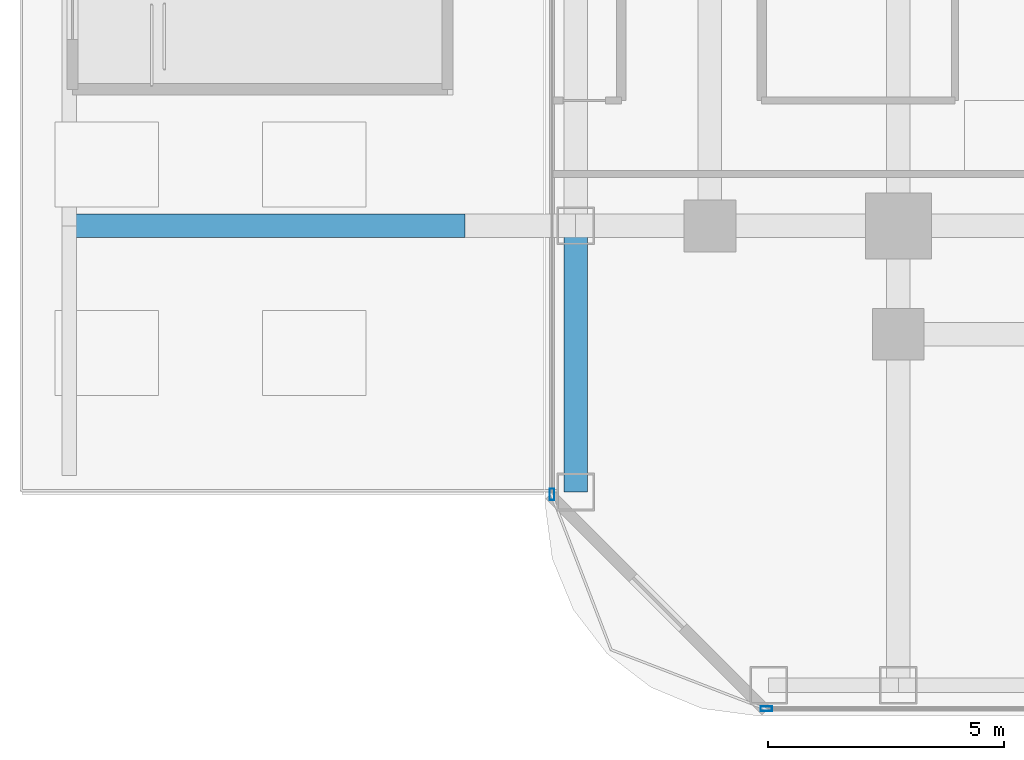
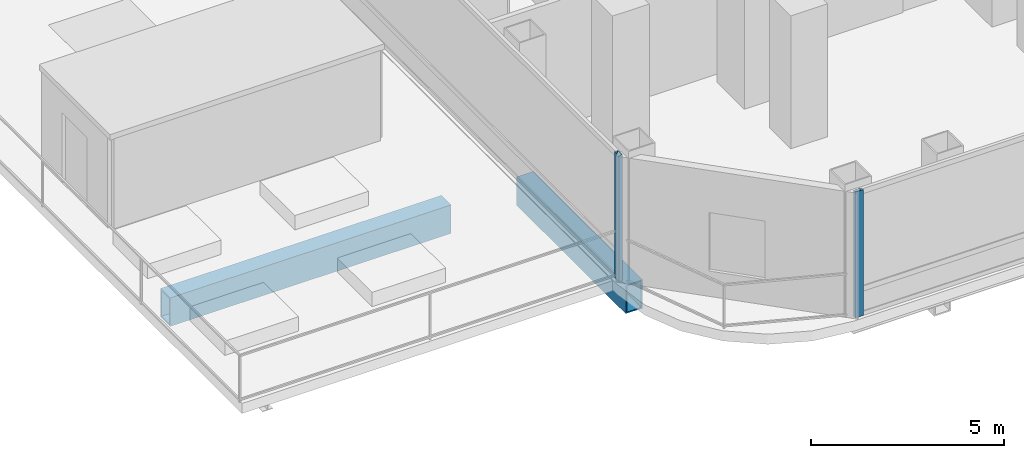
# One storey, part 2 of 29: 2 beams, 2 members, 2 elements without a shape of their own.
"""IFC4 building model written with IfcOpenShell, lengths in metres."""

from ifc_helpers import new_model, si_unit, direction, frame, origin, origin_2d, place, context, subcontext, project, spatial, hollow_rectangle, extrude, material, layer, layer_set, material_profile, profile_set, type_object, element, aggregate, save


model = new_model("IFC4")

# Units and contexts
model_context = context("Model", 3, precision=1e-05, world=origin(), true_north=direction((0.0, 1.0)))
body_context = subcontext(model_context, "Body", "Model", "MODEL_VIEW")
ifc_project = project(units=[si_unit("LENGTHUNIT", "METRE"), si_unit("AREAUNIT", "SQUARE_METRE"), si_unit("VOLUMEUNIT", "CUBIC_METRE"), si_unit("PLANEANGLEUNIT", "RADIAN"), si_unit("MASSUNIT", "GRAM", prefix="KILO")], contexts=[model_context])

# Site, building, storey
site_placement = place(None, origin())
site = spatial("IfcSite", under=ifc_project, at=site_placement, CompositionType="ELEMENT")
building_placement = place(site_placement, origin())
building = spatial("IfcBuilding", under=site, at=building_placement, Name="Khorvyn Point Tower", CompositionType="ELEMENT")
storey_placement = place(building_placement, frame((0.0, 0.0, 26.39990234375)))
storey = spatial("IfcBuildingStorey", under=building, at=storey_placement, Name="L07", CompositionType="ELEMENT", Elevation=26.39990234375)

# Curtain wall, member
ifc_material_1 = material(Name="Anodised aluminium 6063-T6 and laminated Low-E glass", Category="aluminium")
ifc_layer = layer(ifc_material_1, 0.18994140625)
ifc_layer_set = layer_set([ifc_layer], Name="Stick-Built Finned Residential Curtain Wall CW-SYS-02")
curtain_wall_type = type_object("IfcCurtainWallType", Name="Stick-Built Finned Residential Curtain Wall CW-SYS-02", PredefinedType="NOTDEFINED", material=ifc_layer_set)
curtain_wall_1_placement = place(storey_placement, origin())
curtain_wall_1 = element("IfcCurtainWall", 1, at=curtain_wall_1_placement, inside=storey, type_object=curtain_wall_type, Name="Curtain Wall", PredefinedType="NOTDEFINED")
ifc_material_2 = material(Name="Anodised aluminium 6063-T6", Category="aluminium")
ifc_material_profile_1 = material_profile(ifc_material_2, hollow_rectangle(XDim=0.10009765625, YDim=0.239990234375, WallThickness=0.0048828125, at=origin_2d()))
ifc_profile_set_1 = profile_set([ifc_material_profile_1], Name="Anodised aluminium 6063-T6 ALU-MUL-100x240")
member_type = type_object("IfcMemberType", Name="Anodised Aluminium 6063-T6 Mullion ALU-MUL-100x240", PredefinedType="MULLION", material=ifc_profile_set_1)
member_1_placement = place(storey_placement, frame((-17.60009765625, -25.050048828125, 0.0), z_axis=(0.0, 0.0, 1.0), x_axis=(0.0, -1.0, 0.0)))
member_1 = element("IfcMember", 2, at=member_1_placement, type_object=member_type, Name="Transom", PredefinedType="MULLION", context=body_context, shape_type="SweptSolid", body=[
    extrude(hollow_rectangle(XDim=0.10009765625, YDim=0.239990234375, WallThickness=0.0048828125, at=origin_2d()), origin(), (0.0, 0.0, 1.0), 3.97998046875),
])
aggregate(curtain_wall_1, [member_1])

curtain_wall_2_placement = place(storey_placement, origin())
curtain_wall_2 = element("IfcCurtainWall", 3, at=curtain_wall_2_placement, inside=storey, type_object=curtain_wall_type, Name="Curtain Wall", PredefinedType="NOTDEFINED")
member_2_placement = place(storey_placement, frame((-22.14990234375, -20.5, 0.0), z_axis=(0.0, 0.0, 1.0), x_axis=(-1.0, 0.0, 0.0)))
member_2 = element("IfcMember", 4, at=member_2_placement, type_object=member_type, Name="Transom", PredefinedType="MULLION", context=body_context, shape_type="SweptSolid", body=[
    extrude(hollow_rectangle(XDim=0.10009765625, YDim=0.239990234375, WallThickness=0.0048828125, at=origin_2d()), origin(), (0.0, 0.0, 1.0), 3.97998046875),
])
aggregate(curtain_wall_2, [member_2])

# Beams
ifc_material_3 = material(Name="Steel S450", Category="steel")
ifc_material_profile_2 = material_profile(ifc_material_3, hollow_rectangle(XDim=0.5, YDim=0.89990234375, WallThickness=0.0400390625, at=origin_2d()))
ifc_profile_set_2 = profile_set([ifc_material_profile_2], Name="Steel S450 BOX900x500x40")
beam_type = type_object("IfcBeamType", Name="Steel S450 Beam BOX900x500x40", PredefinedType="BEAM", material=ifc_profile_set_2)
beam_1_placement = place(storey_placement, frame((-32.39990234375, -14.800048828125, -0.77001953125), z_axis=(1.0, 0.0, 0.0), x_axis=(0.0, 1.0, 0.0)))
element("IfcBeam", 5, at=beam_1_placement, inside=storey, type_object=beam_type, Name="Beam", PredefinedType="BEAM", context=body_context, shape_type="SweptSolid", body=[
    extrude(hollow_rectangle(XDim=0.5, YDim=0.89990234375, WallThickness=0.0400390625, at=origin_2d()), origin(), (0.0, 0.0, 1.0), 8.39990234375),
])
beam_2_placement = place(storey_placement, frame((-21.64990234375, -20.449951171875, -0.77001953125), z_axis=(0.0, 1.0, 0.0), x_axis=(-1.0, 0.0, 0.0)))
element("IfcBeam", 6, at=beam_2_placement, inside=storey, type_object=beam_type, Name="Beam", PredefinedType="BEAM", context=body_context, shape_type="SweptSolid", body=[
    extrude(hollow_rectangle(XDim=0.5, YDim=0.89990234375, WallThickness=0.0400390625, at=origin_2d()), origin(), (0.0, 0.0, 1.0), 5.64990234375),
])

save(model, "model.ifc")
